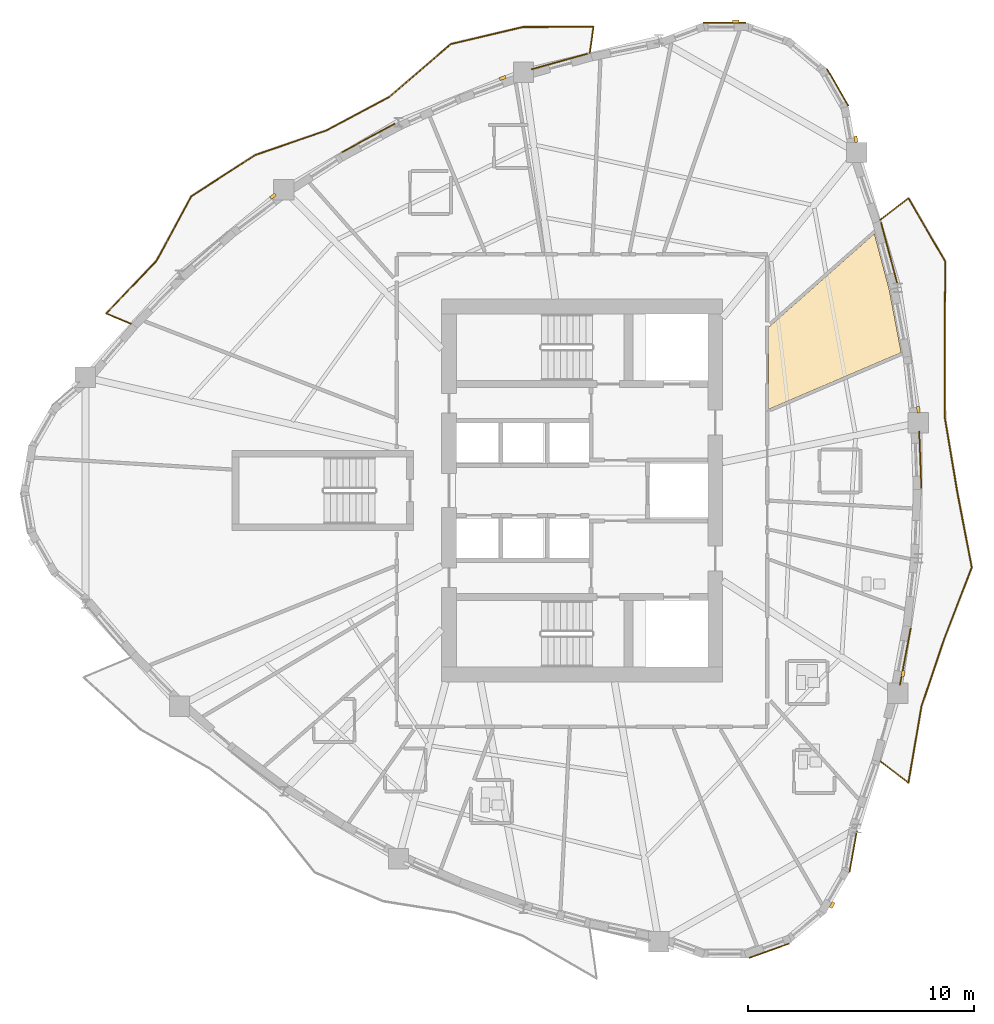
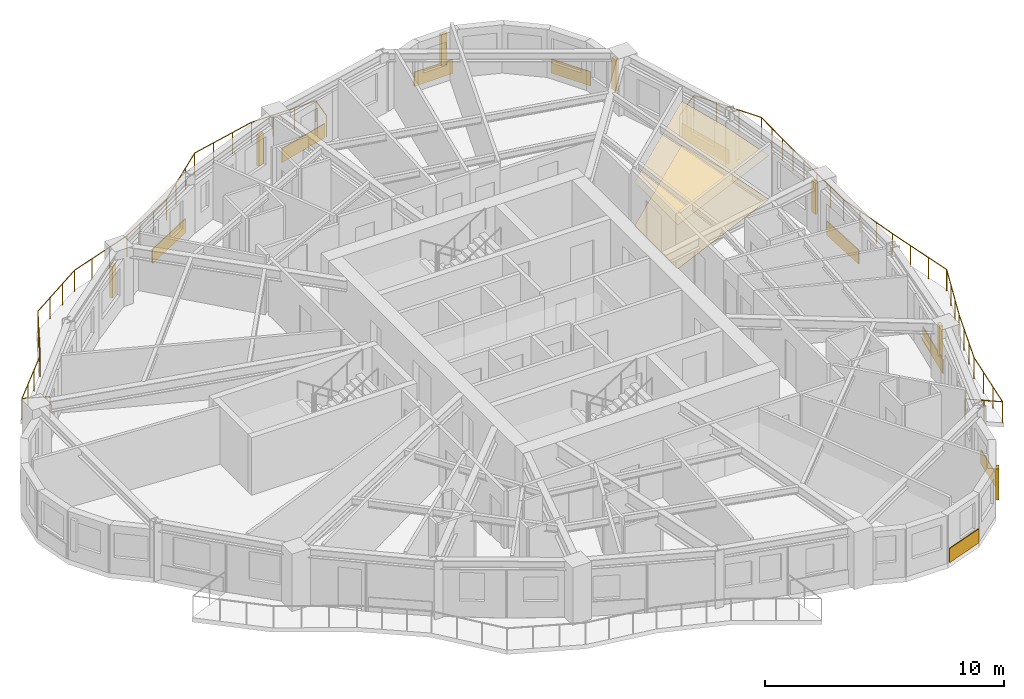
# One storey, part 12 of 13: 11 coverings, 7 shading devices, 2 railings.
"""IFC4 building model written with IfcOpenShell, lengths in metres."""

from ifc_helpers import new_model, si_unit, direction, frame, origin, origin_2d, place, context, subcontext, project, spatial, polyline, rectangle, circle, outline, extrude, source, transform, mapped, material, layer, layer_set, type_object, element, save


model = new_model("IFC4")

# Units and contexts
model_context = context("Model", 3, precision=1e-05, world=origin(), true_north=direction((0.0, 1.0)))
body_context = subcontext(model_context, "Body", "Model", "MODEL_VIEW")
ifc_project = project(units=[si_unit("LENGTHUNIT", "METRE"), si_unit("AREAUNIT", "SQUARE_METRE"), si_unit("VOLUMEUNIT", "CUBIC_METRE"), si_unit("PLANEANGLEUNIT", "RADIAN"), si_unit("MASSUNIT", "GRAM", prefix="KILO")], contexts=[model_context])

# Site, building, storey
site_placement = place(None, origin())
site = spatial("IfcSite", under=ifc_project, at=site_placement, CompositionType="ELEMENT")
building_placement = place(site_placement, origin())
building = spatial("IfcBuilding", under=site, at=building_placement, Name="Qafzar Sky-Pleat Residences", CompositionType="ELEMENT")
storey_placement = place(building_placement, frame((0.0, 0.0, 105.60009765625)))
storey = spatial("IfcBuildingStorey", under=building, at=storey_placement, Name="L31", CompositionType="ELEMENT", Elevation=105.60009765625)

# Coverings
ifc_material_1 = material(Name="Perforated acoustic gypsum board ceiling")
ifc_layer_1 = layer(ifc_material_1, 0.02001953125)
ifc_layer_set_1 = layer_set([ifc_layer_1], Name="Perforated acoustic gypsum board ceiling")
covering_type_1 = type_object("IfcCoveringType", Name="COV-CEIL-ACOUSTIC", PredefinedType="CEILING", material=ifc_layer_set_1)
covering_1_placement = place(storey_placement, frame((0.0, 0.0, 2.239990234375)))
element("IfcCovering", 1, at=covering_1_placement, inside=storey, type_object=covering_type_1, Name="L31 Communal Kitchen Acoustic Ceiling", PredefinedType="CEILING", context=body_context, shape_type="SweptSolid", body=[
    extrude(outline(polyline([(43.91162109375, 34.867431640625), (44.439453125, 32.089599609375), (38.590087890625, 29.58837890625), (38.590087890625, 33.20849609375), (43.25537109375, 37.335205078125), (43.91162109375, 34.867431640625)])), origin(), (0.0, 0.0, 1.0), 0.02001953125),
])
ifc_material_2 = material(Name="Honed porcelain and Riyadh stone tile flooring", Category="masonry")
ifc_layer_2 = layer(ifc_material_2, 0.02001953125)
ifc_layer_set_2 = layer_set([ifc_layer_2], Name="Honed porcelain and Riyadh stone tile flooring")
covering_type_2 = type_object("IfcCoveringType", Name="COV-FLR-PORCELAIN", PredefinedType="FLOORING", material=ifc_layer_set_2)
covering_2_placement = place(storey_placement, origin())
element("IfcCovering", 2, at=covering_2_placement, inside=storey, type_object=covering_type_2, Name="L31 Communal Kitchen Honed Stone Flooring", PredefinedType="FLOORING", context=body_context, shape_type="SweptSolid", body=[
    extrude(outline(polyline([(43.91162109375, 34.867431640625), (44.439453125, 32.089599609375), (38.590087890625, 29.58837890625), (38.590087890625, 33.20849609375), (43.25537109375, 37.335205078125), (43.91162109375, 34.867431640625)])), origin(), (0.0, 0.0, 1.0), 0.02001953125),
])

# Shading devices
ifc_material_3 = material(Name="Honed Riyadh limestone solar fin", Category="masonry")
ifc_layer_3 = layer(ifc_material_3, 0.139892578125)
ifc_layer_set_3 = layer_set([ifc_layer_3], Name="Honed Riyadh limestone solar fin")
shading_device_type = type_object("IfcShadingDeviceType", Name="SHD-FIN-STONE", PredefinedType="SHUTTER", material=ifc_layer_set_3)
shared_shape_1 = source(origin(), body_context, "Body", "SweptSolid", [
    extrude(rectangle(XDim=0.139892578125, YDim=0.280029296875, at=origin_2d()), origin(), (0.0, 0.0, 1.0), 1.60009765625),
])
for number, where, z_axis, x_axis, name in (
    (3, (41.394287109375, 7.69677734375, 0.599853515625), (0.0, 0.0, 1.0), (0.864886560434, -0.501967367047, 0.0), "L31 Limestone Solar Fin 21"),
    (4, (44.522705078125, 17.9111328125, 0.599853515625), (0.0, 0.0, 1.0), (0.982424029178, -0.18666286962, 0.0), "L31 Limestone Solar Fin 25"),
    (5, (45.19873046875, 29.564453125, 0.599853515625), (0.0, 0.0, 1.0), (0.993566321057, 0.11325177995, 0.0), "L31 Limestone Solar Fin 29"),
    (6, (42.439453125, 41.510986328125, 0.599853515625), (0.0, 0.0, 1.0), (0.984675881773, 0.174394403163, 0.0), "L31 Limestone Solar Fin 33"),
    (7, (37.140625, 46.702880859375, 0.599853515625), (0.0, 0.0, 1.0), (-0.006821730637, 0.999976731725, 0.0), "L31 Limestone Solar Fin 37"),
    (8, (26.839111328125, 44.211181640625, 0.599853515625), (0.0, 0.0, 1.0), (-0.338159399338, 0.94108884843, 0.0), "L31 Limestone Solar Fin 41"),
    (9, (16.702880859375, 38.9931640625, 0.599853515625), (0.0, 0.0, 1.0), (-0.602161786865, 0.798374086778, 0.0), "L31 Limestone Solar Fin 45"),
):
    element("IfcShadingDevice", number, at=place(storey_placement, frame(where, z_axis=z_axis, x_axis=x_axis)), inside=storey, type_object=shading_device_type, Name=name, PredefinedType="SHUTTER", context=body_context, shape_type="MappedRepresentation", body=[
        mapped(shared_shape_1, transform((0.0, 0.0, 0.0), x_axis=(1.0, 0.0, 0.0), y_axis=(0.0, 1.0, 0.0), z_axis=(0.0, 0.0, 1.0), scale=1.0)),
    ])

# Coverings
ifc_material_4 = material(Name="Honed Riyadh Tuwaiq limestone cladding", Category="masonry")
ifc_layer_4 = layer(ifc_material_4, 0.044921875)
ifc_layer_set_4 = layer_set([ifc_layer_4], Name="Honed Riyadh Tuwaiq limestone cladding")
covering_type_3 = type_object("IfcCoveringType", Name="COV-CLAD-STONE", PredefinedType="CLADDING", material=ifc_layer_set_4)
shared_shape_2 = source(origin(), body_context, "Body", "SweptSolid", [
    extrude(rectangle(XDim=1.88916015625, YDim=0.044921875, at=origin_2d()), origin(), (0.0, 0.0, 1.0), 0.719970703125),
])
for number, where, z_axis, x_axis, name in (
    (10, (38.609619140625, 5.678955078125, 0.02001953125), (0.0, 0.0, 1.0), (0.941488360606, 0.337045496698, 0.0), "L31 Riyadh Limestone Spandrel Cladding 19"),
    (11, (41.635986328125, 43.80126953125, 0.02001953125), (0.0, 0.0, 1.0), (-0.501956209509, 0.864893036008, 0.0), "L31 Riyadh Limestone Spandrel Cladding 34"),
    (12, (36.63818359375, 46.65625, 0.02001953125), (0.0, 0.0, 1.0), (-0.999976465978, -0.006860575119, 0.0), "L31 Riyadh Limestone Spandrel Cladding 37"),
):
    element("IfcCovering", number, at=place(storey_placement, frame(where, z_axis=z_axis, x_axis=x_axis)), inside=storey, type_object=covering_type_3, Name=name, PredefinedType="CLADDING", context=body_context, shape_type="MappedRepresentation", body=[
        mapped(shared_shape_2, transform((0.0, 0.0, 0.0), x_axis=(1.0, 0.0, 0.0), y_axis=(0.0, 1.0, 0.0), z_axis=(0.0, 0.0, 1.0), scale=1.0)),
    ])
shared_shape_3 = source(origin(), body_context, "Body", "SweptSolid", [
    extrude(rectangle(XDim=1.8369140625, YDim=0.044921875, at=origin_2d()), origin(), (0.0, 0.0, 1.0), 0.719970703125),
])
covering_3_placement = place(storey_placement, frame((42.317626953125, 10.04833984375, 0.02001953125), z_axis=(0.0, 0.0, 1.0), x_axis=(0.174369449256, 0.984680300994, 0.0)))
element("IfcCovering", 13, at=covering_3_placement, inside=storey, type_object=covering_type_3, Name="L31 Riyadh Limestone Spandrel Cladding 22", PredefinedType="CLADDING", context=body_context, shape_type="MappedRepresentation", body=[
    mapped(shared_shape_3, transform((0.0, 0.0, 0.0), x_axis=(1.0, 0.0, 0.0), y_axis=(0.0, 1.0, 0.0), z_axis=(0.0, 0.0, 1.0), scale=1.0)),
])

# Railings
ifc_material_5 = material(Name="Laminated glass and bronze steel balustrade", Category="steel")
railing_type = type_object("IfcRailingType", Name="RAIL-BAL-1100", PredefinedType="BALUSTRADE", material=ifc_material_5)
shared_shape_4 = source(origin(), body_context, "Body", "SweptSolid", [
    extrude(circle(Radius=0.02392578125, at=origin_2d()), frame((0.0, 0.0, 1.076171875), z_axis=(0.792134861586, -0.610346099406, 0.0), x_axis=(0.610346099406, 0.792134861586, 0.0)), (0.0, 0.0, 1.0), 1.578125),
    extrude(circle(Radius=0.02392578125, at=origin_2d()), frame((1.25, -0.963134765625, 1.076171875), z_axis=(0.16829814939, 0.98573613757, 0.0), x_axis=(-0.98573613757, 0.16829814939, 0.0)), (0.0, 0.0, 1.0), 3.4306640625),
    extrude(circle(Radius=0.02392578125, at=origin_2d()), frame((1.827392578125, 2.418701171875, 1.076171875), z_axis=(0.320144738717, 0.947368643281, 0.0), x_axis=(-0.947368643281, 0.320144738717, 0.0)), (0.0, 0.0, 1.0), 3.1953125),
    extrude(circle(Radius=0.02392578125, at=origin_2d()), frame((2.850341796875, 5.44580078125, 1.076171875), z_axis=(0.359283753865, 0.93322836659, 0.0), x_axis=(-0.93322836659, 0.359283753865, 0.0)), (0.0, 0.0, 1.0), 3.328857421875),
    extrude(circle(Radius=0.02392578125, at=origin_2d()), frame((4.04638671875, 8.552490234375, 1.076171875), z_axis=(-0.188514556137, 0.982070395707, 0.0), x_axis=(-0.982070395707, -0.188514556137, 0.0)), (0.0, 0.0, 1.0), 3.455322265625),
    extrude(circle(Radius=0.02392578125, at=origin_2d()), frame((3.39501953125, 11.94580078125, 1.076171875), z_axis=(-0.164227484923, 0.986422492239, 0.0), x_axis=(-0.986422492239, -0.164227484923, 0.0)), (0.0, 0.0, 1.0), 3.23193359375),
    extrude(circle(Radius=0.02392578125, at=origin_2d()), frame((2.8642578125, 15.1337890625, 1.076171875), z_axis=(-0.004201643584, 0.999991173057, 0.0), x_axis=(-0.999991173057, -0.004201643584, 0.0)), (0.0, 0.0, 1.0), 3.31201171875),
    extrude(circle(Radius=0.02392578125, at=origin_2d()), frame((2.850341796875, 18.44580078125, 1.076171875), z_axis=(0.007923359565, 0.999968609694, 0.0), x_axis=(-0.999968609694, 0.007923359565, 0.0)), (0.0, 0.0, 1.0), 3.60498046875),
    extrude(circle(Radius=0.02392578125, at=origin_2d()), frame((2.87890625, 22.05078125, 1.076171875), z_axis=(-0.502320766791, 0.864681355905, 0.0), x_axis=(-0.864681355905, -0.502320766791, 0.0)), (0.0, 0.0, 1.0), 3.24267578125),
    extrude(circle(Radius=0.02392578125, at=origin_2d()), frame((1.25, 24.854736328125, 1.076171875), z_axis=(-0.792134861586, -0.610346099406, 0.0), x_axis=(0.610346099406, -0.792134861586, 0.0)), (0.0, 0.0, 1.0), 1.578125),
    extrude(circle(Radius=0.02099609375, at=origin_2d()), origin(), (0.0, 0.0, 1.0), 1.052001953125),
    extrude(circle(Radius=0.02099609375, at=origin_2d()), frame((0.625, -0.4814453125, 0.0)), (0.0, 0.0, 1.0), 1.052001953125),
    extrude(circle(Radius=0.02099609375, at=origin_2d()), frame((1.25, -0.963134765625, 0.0)), (0.0, 0.0, 1.0), 1.052001953125),
    extrude(circle(Radius=0.02099609375, at=origin_2d()), frame((1.4423828125, 0.1640625, 0.0)), (0.0, 0.0, 1.0), 1.052001953125),
    extrude(circle(Radius=0.02099609375, at=origin_2d()), frame((1.635009765625, 1.29150390625, 0.0)), (0.0, 0.0, 1.0), 1.052001953125),
    extrude(circle(Radius=0.02099609375, at=origin_2d()), frame((1.827392578125, 2.418701171875, 0.0)), (0.0, 0.0, 1.0), 1.052001953125),
    extrude(circle(Radius=0.02099609375, at=origin_2d()), frame((2.16845703125, 3.427734375, 0.0)), (0.0, 0.0, 1.0), 1.052001953125),
    extrude(circle(Radius=0.02099609375, at=origin_2d()), frame((2.50927734375, 4.436767578125, 0.0)), (0.0, 0.0, 1.0), 1.052001953125),
    extrude(circle(Radius=0.02099609375, at=origin_2d()), frame((2.850341796875, 5.44580078125, 0.0)), (0.0, 0.0, 1.0), 1.052001953125),
    extrude(circle(Radius=0.02099609375, at=origin_2d()), frame((3.2490234375, 6.4814453125, 0.0)), (0.0, 0.0, 1.0), 1.052001953125),
    extrude(circle(Radius=0.02099609375, at=origin_2d()), frame((3.647705078125, 7.516845703125, 0.0)), (0.0, 0.0, 1.0), 1.052001953125),
    extrude(circle(Radius=0.02099609375, at=origin_2d()), frame((4.04638671875, 8.552490234375, 0.0)), (0.0, 0.0, 1.0), 1.052001953125),
    extrude(circle(Radius=0.02099609375, at=origin_2d()), frame((3.829345703125, 9.68359375, 0.0)), (0.0, 0.0, 1.0), 1.052001953125),
    extrude(circle(Radius=0.02099609375, at=origin_2d()), frame((3.612060546875, 10.814697265625, 0.0)), (0.0, 0.0, 1.0), 1.052001953125),
    extrude(circle(Radius=0.02099609375, at=origin_2d()), frame((3.39501953125, 11.94580078125, 0.0)), (0.0, 0.0, 1.0), 1.052001953125),
    extrude(circle(Radius=0.02099609375, at=origin_2d()), frame((3.218017578125, 13.008544921875, 0.0)), (0.0, 0.0, 1.0), 1.052001953125),
    extrude(circle(Radius=0.02099609375, at=origin_2d()), frame((3.041259765625, 14.071044921875, 0.0)), (0.0, 0.0, 1.0), 1.052001953125),
    extrude(circle(Radius=0.02099609375, at=origin_2d()), frame((2.8642578125, 15.1337890625, 0.0)), (0.0, 0.0, 1.0), 1.052001953125),
    extrude(circle(Radius=0.02099609375, at=origin_2d()), frame((2.859619140625, 16.23779296875, 0.0)), (0.0, 0.0, 1.0), 1.052001953125),
    extrude(circle(Radius=0.02099609375, at=origin_2d()), frame((2.85498046875, 17.341796875, 0.0)), (0.0, 0.0, 1.0), 1.052001953125),
    extrude(circle(Radius=0.02099609375, at=origin_2d()), frame((2.850341796875, 18.44580078125, 0.0)), (0.0, 0.0, 1.0), 1.052001953125),
    extrude(circle(Radius=0.02099609375, at=origin_2d()), frame((2.857421875, 19.34716796875, 0.0)), (0.0, 0.0, 1.0), 1.052001953125),
    extrude(circle(Radius=0.02099609375, at=origin_2d()), frame((2.86474609375, 20.248291015625, 0.0)), (0.0, 0.0, 1.0), 1.052001953125),
    extrude(circle(Radius=0.02099609375, at=origin_2d()), frame((2.871826171875, 21.1494140625, 0.0)), (0.0, 0.0, 1.0), 1.052001953125),
    extrude(circle(Radius=0.02099609375, at=origin_2d()), frame((2.87890625, 22.05078125, 0.0)), (0.0, 0.0, 1.0), 1.052001953125),
    extrude(circle(Radius=0.02099609375, at=origin_2d()), frame((2.3359375, 22.9853515625, 0.0)), (0.0, 0.0, 1.0), 1.052001953125),
    extrude(circle(Radius=0.02099609375, at=origin_2d()), frame((1.79296875, 23.920166015625, 0.0)), (0.0, 0.0, 1.0), 1.052001953125),
    extrude(circle(Radius=0.02099609375, at=origin_2d()), frame((1.25, 24.854736328125, 0.0)), (0.0, 0.0, 1.0), 1.052001953125),
    extrude(circle(Radius=0.02099609375, at=origin_2d()), frame((0.625, 24.373046875, 0.0)), (0.0, 0.0, 1.0), 1.052001953125),
    extrude(circle(Radius=0.02099609375, at=origin_2d()), frame((0.0, 23.8916015625, 0.0)), (0.0, 0.0, 1.0), 1.052001953125),
])
railing_1_placement = place(storey_placement, frame((43.5078125, 14.05419921875, 0.0)))
element("IfcRailing", 14, at=railing_1_placement, inside=storey, type_object=railing_type, Name="L31 Pleated Balcony 1 Balustrade", PredefinedType="BALUSTRADE", context=body_context, shape_type="MappedRepresentation", body=[
    mapped(shared_shape_4, transform((0.0, 0.0, 0.0), x_axis=(1.0, 0.0, 0.0), y_axis=(0.0, 1.0, 0.0), z_axis=(0.0, 0.0, 1.0), scale=1.0)),
])
shared_shape_5 = source(origin(), body_context, "Body", "SweptSolid", [
    extrude(circle(Radius=0.02392578125, at=origin_2d()), frame((0.0, 0.0, 1.076171875), z_axis=(0.138025835279, 0.990428628825, 0.0), x_axis=(-0.990428628825, 0.138025835279, 0.0)), (0.0, 0.0, 1.0), 1.177978515625),
    extrude(circle(Radius=0.02392578125, at=origin_2d()), frame((0.16259765625, 1.166748046875, 1.076171875), z_axis=(-0.999996662065, -0.002583768388, 0.0), x_axis=(0.002583768388, -0.999996662065, 0.0)), (0.0, 0.0, 1.0), 3.1181640625),
    extrude(circle(Radius=0.02392578125, at=origin_2d()), frame((-2.95556640625, 1.15869140625, 1.076171875), z_axis=(-0.973163944314, -0.230112879882, 0.0), x_axis=(0.230112879882, -0.973163944314, 0.0)), (0.0, 0.0, 1.0), 3.269775390625),
    extrude(circle(Radius=0.02392578125, at=origin_2d()), frame((-6.1376953125, 0.40625, 1.076171875), z_axis=(-0.75763261698, -0.652681252747, 0.0), x_axis=(0.652681252747, -0.75763261698, 0.0)), (0.0, 0.0, 1.0), 3.57080078125),
    extrude(circle(Radius=0.02392578125, at=origin_2d()), frame((-8.843017578125, -1.92431640625, 1.076171875), z_axis=(-0.882195949825, -0.470882475903, 0.0), x_axis=(0.470882475903, -0.882195949825, 0.0)), (0.0, 0.0, 1.0), 3.1435546875),
    extrude(circle(Radius=0.02392578125, at=origin_2d()), frame((-11.6162109375, -3.404541015625, 1.076171875), z_axis=(-0.94559712161, -0.325339950826, 0.0), x_axis=(0.325339950826, -0.94559712161, 0.0)), (0.0, 0.0, 1.0), 3.330322265625),
    extrude(circle(Radius=0.02392578125, at=origin_2d()), frame((-14.765380859375, -4.488037109375, 1.076171875), z_axis=(-0.840181380726, -0.542305492763, 0.0), x_axis=(0.542305492763, -0.840181380726, 0.0)), (0.0, 0.0, 1.0), 3.362060546875),
    extrude(circle(Radius=0.02392578125, at=origin_2d()), frame((-17.590087890625, -6.311279296875, 1.076171875), z_axis=(-0.475515457423, -0.879707365976, 0.0), x_axis=(0.879707365976, -0.475515457423, 0.0)), (0.0, 0.0, 1.0), 3.23828125),
    extrude(circle(Radius=0.02392578125, at=origin_2d()), frame((-19.1298828125, -9.159912109375, 1.076171875), z_axis=(-0.689522572327, -0.724264193683, 0.0), x_axis=(0.724264193683, -0.689522572327, 0.0)), (0.0, 0.0, 1.0), 3.218505859375),
    extrude(circle(Radius=0.02392578125, at=origin_2d()), frame((-21.34912109375, -11.490966796875, 1.076171875), z_axis=(0.922351683959, -0.386351357056, 0.0), x_axis=(0.386351357056, 0.922351683959, 0.0)), (0.0, 0.0, 1.0), 1.177978515625),
    extrude(circle(Radius=0.02099609375, at=origin_2d()), origin(), (0.0, 0.0, 1.0), 1.052001953125),
    extrude(circle(Radius=0.02099609375, at=origin_2d()), frame((0.16259765625, 1.166748046875, 0.0)), (0.0, 0.0, 1.0), 1.052001953125),
    extrude(circle(Radius=0.02099609375, at=origin_2d()), frame((-0.876708984375, 1.1640625, 0.0)), (0.0, 0.0, 1.0), 1.052001953125),
    extrude(circle(Radius=0.02099609375, at=origin_2d()), frame((-1.916259765625, 1.161376953125, 0.0)), (0.0, 0.0, 1.0), 1.052001953125),
    extrude(circle(Radius=0.02099609375, at=origin_2d()), frame((-2.95556640625, 1.15869140625, 0.0)), (0.0, 0.0, 1.0), 1.052001953125),
    extrude(circle(Radius=0.02099609375, at=origin_2d()), frame((-4.016357421875, 0.907958984375, 0.0)), (0.0, 0.0, 1.0), 1.052001953125),
    extrude(circle(Radius=0.02099609375, at=origin_2d()), frame((-5.076904296875, 0.656982421875, 0.0)), (0.0, 0.0, 1.0), 1.052001953125),
    extrude(circle(Radius=0.02099609375, at=origin_2d()), frame((-6.1376953125, 0.40625, 0.0)), (0.0, 0.0, 1.0), 1.052001953125),
    extrude(circle(Radius=0.02099609375, at=origin_2d()), frame((-7.03955078125, -0.37060546875, 0.0)), (0.0, 0.0, 1.0), 1.052001953125),
    extrude(circle(Radius=0.02099609375, at=origin_2d()), frame((-7.941162109375, -1.1474609375, 0.0)), (0.0, 0.0, 1.0), 1.052001953125),
    extrude(circle(Radius=0.02099609375, at=origin_2d()), frame((-8.843017578125, -1.92431640625, 0.0)), (0.0, 0.0, 1.0), 1.052001953125),
    extrude(circle(Radius=0.02099609375, at=origin_2d()), frame((-9.767333984375, -2.417724609375, 0.0)), (0.0, 0.0, 1.0), 1.052001953125),
    extrude(circle(Radius=0.02099609375, at=origin_2d()), frame((-10.69189453125, -2.9111328125, 0.0)), (0.0, 0.0, 1.0), 1.052001953125),
    extrude(circle(Radius=0.02099609375, at=origin_2d()), frame((-11.6162109375, -3.404541015625, 0.0)), (0.0, 0.0, 1.0), 1.052001953125),
    extrude(circle(Radius=0.02099609375, at=origin_2d()), frame((-12.666015625, -3.765625, 0.0)), (0.0, 0.0, 1.0), 1.052001953125),
    extrude(circle(Radius=0.02099609375, at=origin_2d()), frame((-13.715576171875, -4.126953125, 0.0)), (0.0, 0.0, 1.0), 1.052001953125),
    extrude(circle(Radius=0.02099609375, at=origin_2d()), frame((-14.765380859375, -4.488037109375, 0.0)), (0.0, 0.0, 1.0), 1.052001953125),
    extrude(circle(Radius=0.02099609375, at=origin_2d()), frame((-15.70703125, -5.095703125, 0.0)), (0.0, 0.0, 1.0), 1.052001953125),
    extrude(circle(Radius=0.02099609375, at=origin_2d()), frame((-16.6484375, -5.70361328125, 0.0)), (0.0, 0.0, 1.0), 1.052001953125),
    extrude(circle(Radius=0.02099609375, at=origin_2d()), frame((-17.590087890625, -6.311279296875, 0.0)), (0.0, 0.0, 1.0), 1.052001953125),
    extrude(circle(Radius=0.02099609375, at=origin_2d()), frame((-18.103271484375, -7.2607421875, 0.0)), (0.0, 0.0, 1.0), 1.052001953125),
    extrude(circle(Radius=0.02099609375, at=origin_2d()), frame((-18.61669921875, -8.21044921875, 0.0)), (0.0, 0.0, 1.0), 1.052001953125),
    extrude(circle(Radius=0.02099609375, at=origin_2d()), frame((-19.1298828125, -9.159912109375, 0.0)), (0.0, 0.0, 1.0), 1.052001953125),
    extrude(circle(Radius=0.02099609375, at=origin_2d()), frame((-19.86962890625, -9.93701171875, 0.0)), (0.0, 0.0, 1.0), 1.052001953125),
    extrude(circle(Radius=0.02099609375, at=origin_2d()), frame((-20.609375, -10.7138671875, 0.0)), (0.0, 0.0, 1.0), 1.052001953125),
    extrude(circle(Radius=0.02099609375, at=origin_2d()), frame((-21.34912109375, -11.490966796875, 0.0)), (0.0, 0.0, 1.0), 1.052001953125),
    extrude(circle(Radius=0.02099609375, at=origin_2d()), frame((-20.2626953125, -11.946044921875, 0.0)), (0.0, 0.0, 1.0), 1.052001953125),
])
railing_2_placement = place(storey_placement, frame((30.69189453125, 45.304931640625, 0.0)))
element("IfcRailing", 15, at=railing_2_placement, inside=storey, type_object=railing_type, Name="L31 Pleated Balcony 2 Balustrade", PredefinedType="BALUSTRADE", context=body_context, shape_type="MappedRepresentation", body=[
    mapped(shared_shape_5, transform((0.0, 0.0, 0.0), x_axis=(1.0, 0.0, 0.0), y_axis=(0.0, 1.0, 0.0), z_axis=(0.0, 0.0, 1.0), scale=1.0)),
])

# Coverings
shared_shape_6 = source(origin(), body_context, "Body", "SweptSolid", [
    extrude(rectangle(XDim=2.5615234375, YDim=0.044921875, at=origin_2d()), origin(), (0.0, 0.0, 1.0), 0.719970703125),
])
covering_4_placement = place(storey_placement, frame((44.622314453125, 18.666015625, 0.02001953125), z_axis=(0.0, 0.0, 1.0), x_axis=(0.186674549414, 0.982421809917, 0.0)))
element("IfcCovering", 16, at=covering_4_placement, inside=storey, type_object=covering_type_3, Name="L31 Riyadh Limestone Spandrel Cladding 25", PredefinedType="CLADDING", context=body_context, shape_type="MappedRepresentation", body=[
    mapped(shared_shape_6, transform((0.0, 0.0, 0.0), x_axis=(1.0, 0.0, 0.0), y_axis=(0.0, 1.0, 0.0), z_axis=(0.0, 0.0, 1.0), scale=1.0)),
])
shared_shape_7 = source(origin(), body_context, "Body", "SweptSolid", [
    extrude(rectangle(XDim=2.515380859375, YDim=0.044921875, at=origin_2d()), origin(), (0.0, 0.0, 1.0), 0.719970703125),
])
covering_5_placement = place(storey_placement, frame((45.283203125, 27.359375, 0.02001953125), z_axis=(0.0, 0.0, 1.0), x_axis=(-0.037963161228, 0.999279139375, 0.0)))
element("IfcCovering", 17, at=covering_5_placement, inside=storey, type_object=covering_type_3, Name="L31 Riyadh Limestone Spandrel Cladding 28", PredefinedType="CLADDING", context=body_context, shape_type="MappedRepresentation", body=[
    mapped(shared_shape_7, transform((0.0, 0.0, 0.0), x_axis=(1.0, 0.0, 0.0), y_axis=(0.0, 1.0, 0.0), z_axis=(0.0, 0.0, 1.0), scale=1.0)),
])
shared_shape_8 = source(origin(), body_context, "Body", "SweptSolid", [
    extrude(rectangle(XDim=2.795654296875, YDim=0.044921875, at=origin_2d()), origin(), (0.0, 0.0, 1.0), 0.719970703125),
])
covering_6_placement = place(storey_placement, frame((43.908935546875, 36.47998046875, 0.02001953125), z_axis=(0.0, 0.0, 1.0), x_axis=(-0.257081553547, 0.966389711672, 0.0)))
element("IfcCovering", 18, at=covering_6_placement, inside=storey, type_object=covering_type_3, Name="L31 Riyadh Limestone Spandrel Cladding 31", PredefinedType="CLADDING", context=body_context, shape_type="MappedRepresentation", body=[
    mapped(shared_shape_8, transform((0.0, 0.0, 0.0), x_axis=(1.0, 0.0, 0.0), y_axis=(0.0, 1.0, 0.0), z_axis=(0.0, 0.0, 1.0), scale=1.0)),
])
shared_shape_9 = source(origin(), body_context, "Body", "SweptSolid", [
    extrude(rectangle(XDim=2.563720703125, YDim=0.044921875, at=origin_2d()), origin(), (0.0, 0.0, 1.0), 0.719970703125),
])
covering_7_placement = place(storey_placement, frame((29.34912109375, 44.940673828125, 0.02001953125), z_axis=(0.0, 0.0, 1.0), x_axis=(-0.963029981649, -0.269394236101, 0.0)))
element("IfcCovering", 19, at=covering_7_placement, inside=storey, type_object=covering_type_3, Name="L31 Riyadh Limestone Spandrel Cladding 40", PredefinedType="CLADDING", context=body_context, shape_type="MappedRepresentation", body=[
    mapped(shared_shape_9, transform((0.0, 0.0, 0.0), x_axis=(1.0, 0.0, 0.0), y_axis=(0.0, 1.0, 0.0), z_axis=(0.0, 0.0, 1.0), scale=1.0)),
])
shared_shape_10 = source(origin(), body_context, "Body", "SweptSolid", [
    extrude(rectangle(XDim=2.66259765625, YDim=0.044921875, at=origin_2d()), origin(), (0.0, 0.0, 1.0), 0.719970703125),
])
covering_8_placement = place(storey_placement, frame((20.916015625, 41.56640625, 0.02001953125), z_axis=(0.0, 0.0, 1.0), x_axis=(-0.880074639523, -0.474835370279, 0.0)))
element("IfcCovering", 20, at=covering_8_placement, inside=storey, type_object=covering_type_3, Name="L31 Riyadh Limestone Spandrel Cladding 43", PredefinedType="CLADDING", context=body_context, shape_type="MappedRepresentation", body=[
    mapped(shared_shape_10, transform((0.0, 0.0, 0.0), x_axis=(1.0, 0.0, 0.0), y_axis=(0.0, 1.0, 0.0), z_axis=(0.0, 0.0, 1.0), scale=1.0)),
])

save(model, "model.ifc")
